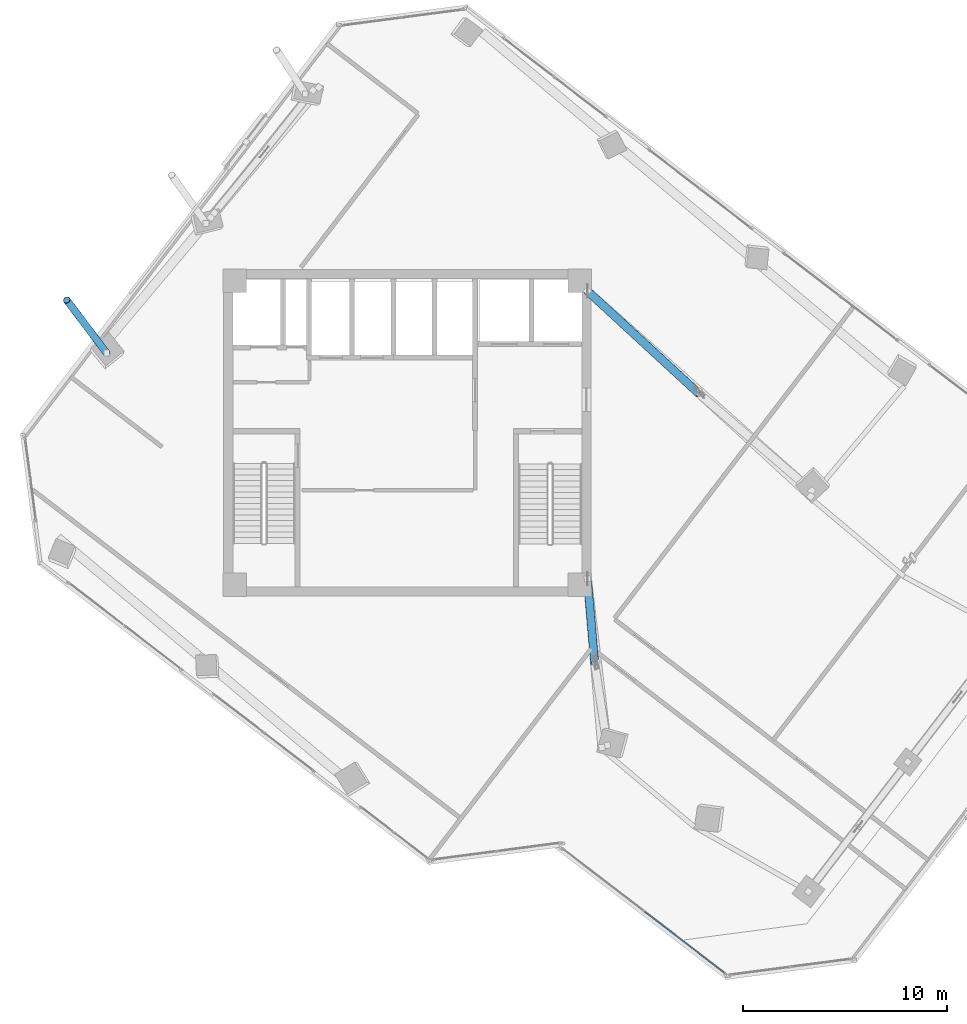
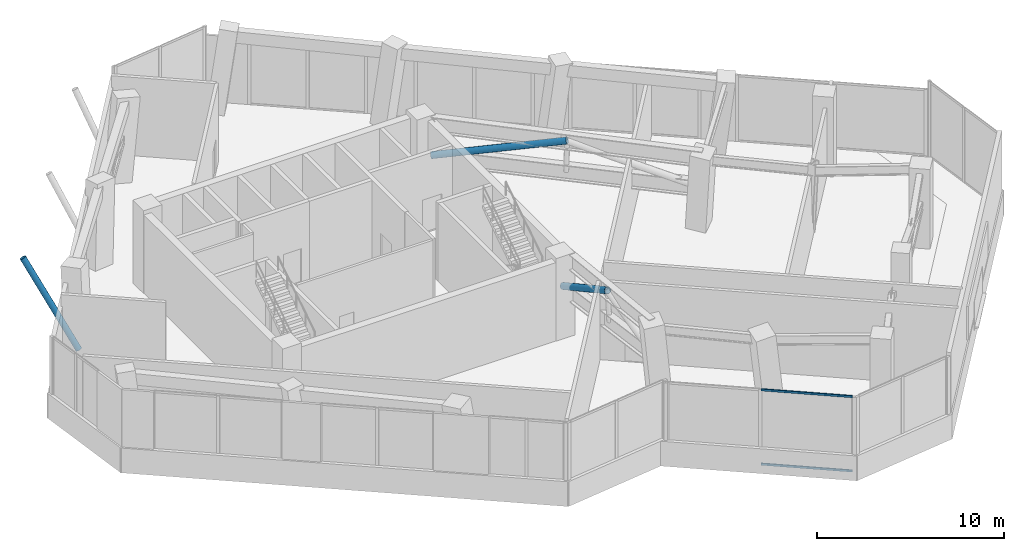
# One storey, part 6 of 22: 5 members, 1 element without a shape of its own.
"""IFC4 building model written with IfcOpenShell, lengths in metres."""

from ifc_helpers import new_model, si_unit, direction, frame, origin, origin_2d, place, context, subcontext, project, spatial, hollow_rectangle, hollow_circle, extrude, source, transform, mapped, material, material_profile, profile_set, type_object, element, aggregate, save


model = new_model("IFC4")

# Units and contexts
model_context = context("Model", 3, precision=1e-05, world=origin(), true_north=direction((0.0, 1.0)))
body_context = subcontext(model_context, "Body", "Model", "MODEL_VIEW")
ifc_project = project(units=[si_unit("LENGTHUNIT", "METRE"), si_unit("AREAUNIT", "SQUARE_METRE"), si_unit("VOLUMEUNIT", "CUBIC_METRE"), si_unit("PLANEANGLEUNIT", "RADIAN"), si_unit("MASSUNIT", "GRAM", prefix="KILO")], contexts=[model_context])

# Site, building, storey
site_placement = place(None, origin())
site = spatial("IfcSite", under=ifc_project, at=site_placement, CompositionType="ELEMENT")
building_placement = place(site_placement, origin())
building = spatial("IfcBuilding", under=site, at=building_placement, Name="Torre Montelarca", CompositionType="ELEMENT")
storey_placement = place(building_placement, frame((0.0, 0.0, 209.800048828125)))
storey = spatial("IfcBuildingStorey", under=building, at=storey_placement, Name="L47", CompositionType="ELEMENT", Elevation=209.800048828125)

# Members
ifc_material_1 = material(Name="Steel ASTM A500 Grade C", Category="steel")
ifc_material_profile_1 = material_profile(ifc_material_1, hollow_circle(Radius=0.177734375, WallThickness=0.015869140625, at=origin_2d()), Name="HSS355.6X15.9", Category="steel")
ifc_profile_set_1 = profile_set([ifc_material_profile_1], Name="Steel ASTM A500 Grade C")
member_type_1 = type_object("IfcMemberType", Name="MB-BR-CHS356-EXT", PredefinedType="BRACE", material=ifc_profile_set_1)
shared_shape_1 = source(origin(), body_context, "Body", "SweptSolid", [
    extrude(hollow_circle(Radius=0.177734375, WallThickness=0.015869140625, at=origin_2d()), origin(), (0.0, 0.0, 1.0), 6.0546875),
])
member_1_placement = place(storey_placement, frame((3.261962890625, 35.910888671875, 0.14990234375), z_axis=(-0.323225480094, 0.428023761377, 0.843991083315), x_axis=(-0.798019971465, -0.602631002474, 0.0)))
element("IfcMember", 1, at=member_1_placement, inside=storey, type_object=member_type_1, Name="L48 Sliding Tray Exterior Diagonal Raker Strut W1", PredefinedType="BRACE", context=body_context, shape_type="MappedRepresentation", body=[
    mapped(shared_shape_1, transform((0.0, 0.0, 0.0), scale=1.0)),
])
ifc_material_profile_2 = material_profile(ifc_material_1, hollow_circle(Radius=0.203125, WallThickness=0.015869140625, at=origin_2d()), Name="HSS406.4X15.9", Category="steel")
ifc_profile_set_2 = profile_set([ifc_material_profile_2], Name="Steel ASTM A500 Grade C")
member_type_2 = type_object("IfcMemberType", Name="MB-BR-CHS406", PredefinedType="BRACE", material=ifc_profile_set_2)
shared_shape_2 = source(origin(), body_context, "Body", "SweptSolid", [
    extrude(hollow_circle(Radius=0.203125, WallThickness=0.015869140625, at=origin_2d()), origin(), (0.0, 0.0, 1.0), 4.65185546875),
])
member_2_placement = place(storey_placement, frame((26.820068359375, 24.85009765625, 2.75), z_axis=(0.076678236049, -0.889016180993, 0.451409656575), x_axis=(0.996301036653, 0.085931626102, 0.0)))
element("IfcMember", 2, at=member_2_placement, inside=storey, type_object=member_type_2, Name="L47 Outrigger Truss Diagonal 1A", PredefinedType="BRACE", context=body_context, shape_type="MappedRepresentation", body=[
    mapped(shared_shape_2, transform((0.0, 0.0, 0.0), scale=1.0)),
])
shared_shape_3 = source(origin(), body_context, "Body", "SweptSolid", [
    extrude(hollow_circle(Radius=0.203125, WallThickness=0.015869140625, at=origin_2d()), origin(), (0.0, 0.0, 1.0), 7.72607421875),
])
member_3_placement = place(storey_placement, frame((26.820068359375, 38.949951171875, 2.75), z_axis=(0.708152426016, -0.651651911169, 0.271790228298), x_axis=(0.677141888219, 0.735852473814, 0.0)))
element("IfcMember", 3, at=member_3_placement, inside=storey, type_object=member_type_2, Name="L47 Outrigger Truss Diagonal 2A", PredefinedType="BRACE", context=body_context, shape_type="MappedRepresentation", body=[
    mapped(shared_shape_3, transform((0.0, 0.0, 0.0), scale=1.0)),
])

# Curtain wall, members
ifc_material_2 = material(Name="Insulated low-E laminated glass", Category="glass")
curtain_wall_type = type_object("IfcCurtainWallType", Name="CW-SYS-Z2", PredefinedType="USERDEFINED", material=ifc_material_2)
curtain_wall_placement = place(storey_placement, origin())
curtain_wall = element("IfcCurtainWall", 4, at=curtain_wall_placement, inside=storey, type_object=curtain_wall_type, Name="L47 Curtain Wall Run CW-T3-L47-E04-B1", ObjectType="UNITISED GLAZING", PredefinedType="USERDEFINED")
ifc_material_3 = material(Name="Anodised aluminium AA 6063-T6", Category="aluminium")
ifc_material_profile_3 = material_profile(ifc_material_3, hollow_rectangle(XDim=0.06494140625, YDim=0.139892578125, WallThickness=0.00390625, InnerFilletRadius=0.00390625, OuterFilletRadius=0.008056640625, at=origin_2d()), Name="ALU65X140X4", Category="aluminium")
ifc_profile_set_3 = profile_set([ifc_material_profile_3], Name="Anodised aluminium AA 6063-T6")
member_type_3 = type_object("IfcMemberType", Name="CWT-ALU140", PredefinedType="USERDEFINED", material=ifc_profile_set_3)
shared_shape_4 = source(origin(), body_context, "Body", "SweptSolid", [
    extrude(hollow_rectangle(XDim=0.06494140625, YDim=0.139892578125, WallThickness=0.00390625, InnerFilletRadius=0.00390625, OuterFilletRadius=0.008056640625, at=origin_2d()), origin(), (0.0, 0.0, 1.0), 4.948486328125),
])
member_4_placement = place(storey_placement, frame((29.616943359375, 8.541015625, 0.032470703125), z_axis=(0.793362520658, -0.608749464735, 0.0), x_axis=(0.608749464735, 0.793362520658, 0.0)))
member_4 = element("IfcMember", 5, at=member_4_placement, type_object=member_type_3, Name="CW transom 2.1", ObjectType="TRANSOM", PredefinedType="USERDEFINED", context=body_context, shape_type="MappedRepresentation", body=[
    mapped(shared_shape_4, transform((0.0, 0.0, 0.0), scale=1.0)),
])
member_5_placement = place(storey_placement, frame((29.616943359375, 8.541015625, 4.887451171875), z_axis=(0.793362520658, -0.608749464735, 0.0), x_axis=(0.608749464735, 0.793362520658, 0.0)))
member_5 = element("IfcMember", 6, at=member_5_placement, type_object=member_type_3, Name="CW transom 2.2", ObjectType="TRANSOM", PredefinedType="USERDEFINED", context=body_context, shape_type="MappedRepresentation", body=[
    mapped(shared_shape_4, transform((0.0, 0.0, 0.0), scale=1.0)),
])
aggregate(curtain_wall, [member_4, member_5])

save(model, "model.ifc")
